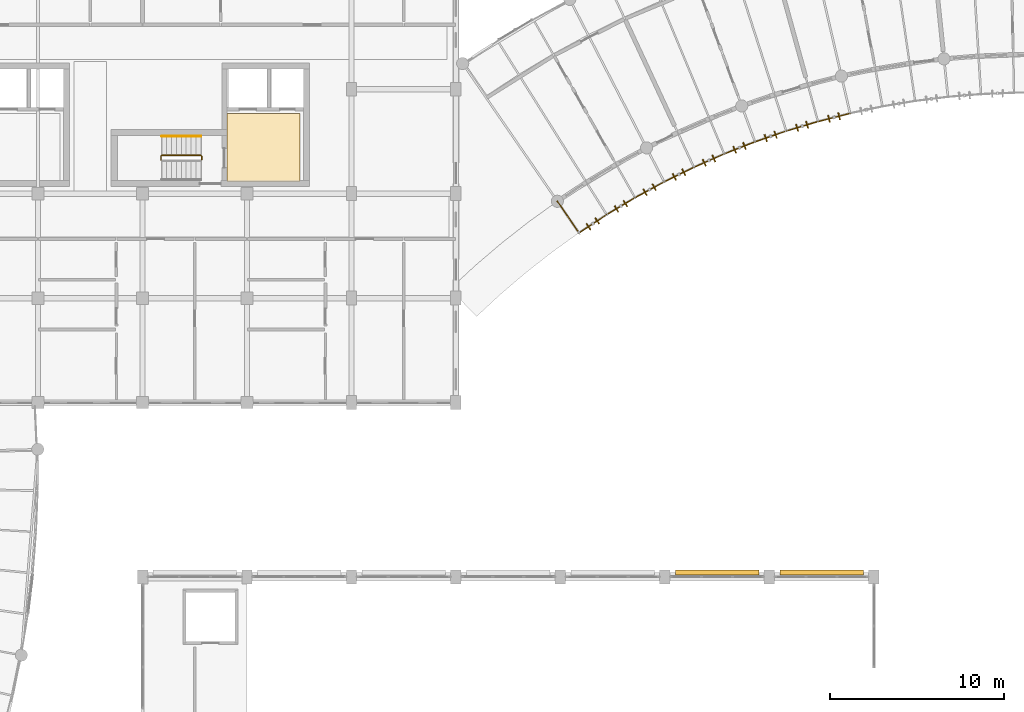
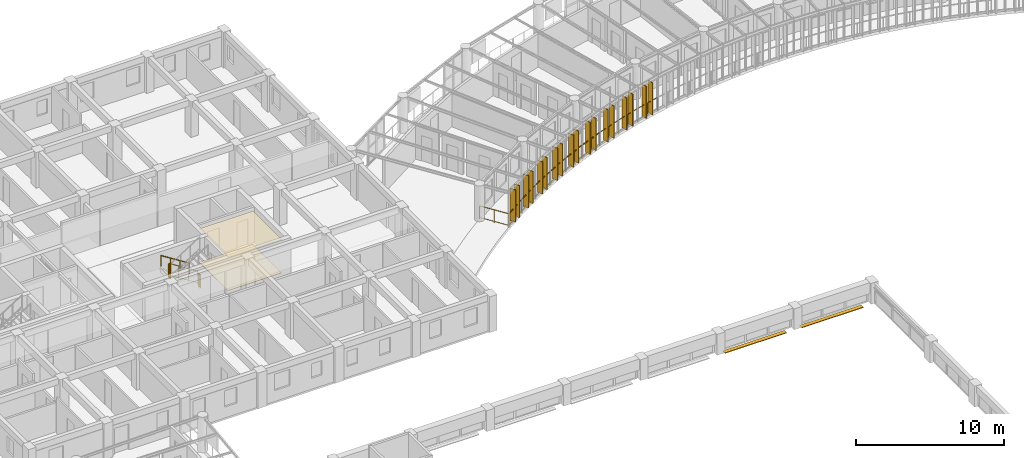
# One storey, part 131 of 137: 20 shading devices, 14 railings, 2 coverings.
"""IFC4 building model written with IfcOpenShell, lengths in metres."""

from ifc_helpers import new_model, si_unit, direction, frame, origin, origin_2d, place, context, subcontext, project, spatial, polyline, rectangle, circle, outline, extrude, material, layer, layer_set, type_object, element, save


model = new_model("IFC4")

# Units and contexts
model_context = context("Model", 3, precision=1e-05, world=origin(), true_north=direction((0.0, 1.0)))
body_context = subcontext(model_context, "Body", "Model", "MODEL_VIEW")
ifc_project = project(units=[si_unit("LENGTHUNIT", "METRE"), si_unit("AREAUNIT", "SQUARE_METRE"), si_unit("VOLUMEUNIT", "CUBIC_METRE"), si_unit("PLANEANGLEUNIT", "RADIAN"), si_unit("MASSUNIT", "GRAM", prefix="KILO"), si_unit("POWERUNIT", "WATT"), si_unit("THERMODYNAMICTEMPERATUREUNIT", "KELVIN")], contexts=[model_context])

# Site, building, storey
site_placement = place(None, origin())
site = spatial("IfcSite", under=ifc_project, at=site_placement, CompositionType="ELEMENT")
building_placement = place(site_placement, origin())
building = spatial("IfcBuilding", under=site, at=building_placement, Name="Ruvembo Vaulted Housing Court", CompositionType="ELEMENT")
storey_placement = place(building_placement, frame((0.0, 0.0, 4.5)))
storey = spatial("IfcBuildingStorey", under=building, at=storey_placement, Name="L01", CompositionType="ELEMENT", Elevation=4.5)

# Coverings
ifc_material_1 = material(Name="Perforated Mineral-Fibre Acoustic Tile", Category="gypsum")
ifc_layer_1 = layer(ifc_material_1, 0.02001953125, Name="Perforated Mineral-Fibre Acoustic Tile")
ifc_layer_set_1 = layer_set([ifc_layer_1], Name="Perforated Mineral-Fibre Acoustic Tile")
covering_type_1 = type_object("IfcCoveringType", Name="COV-CEIL-ACOUST", PredefinedType="CEILING", material=ifc_layer_set_1)
covering_1_placement = place(storey_placement, frame((0.0, 0.0, 2.75)))
element("IfcCovering", 1, at=covering_1_placement, inside=storey, type_object=covering_type_1, Name="Protected Core Lobby B2 Ceiling", PredefinedType="CEILING", context=body_context, shape_type="SweptSolid", body=[
    extrude(outline(polyline([(70.85009765625, 94.60009765625), (70.85009765625, 90.699951171875), (75.050048828125, 90.699951171875), (75.050048828125, 94.60009765625), (70.85009765625, 94.60009765625)])), origin(), (0.0, 0.0, 1.0), 0.02001953125),
])
ifc_material_2 = material(Name="Polished Cement-Aggregate Terrazzo", Category="stone")
ifc_layer_2 = layer(ifc_material_2, 0.02197265625, Name="Polished Cement-Aggregate Terrazzo")
ifc_layer_set_2 = layer_set([ifc_layer_2], Name="Polished Cement-Aggregate Terrazzo")
covering_type_2 = type_object("IfcCoveringType", Name="COV-FLR-CERAMIC", PredefinedType="FLOORING", material=ifc_layer_set_2)
covering_2_placement = place(storey_placement, origin())
element("IfcCovering", 2, at=covering_2_placement, inside=storey, type_object=covering_type_2, Name="Protected Core Lobby B2 Flooring", PredefinedType="FLOORING", context=body_context, shape_type="SweptSolid", body=[
    extrude(outline(polyline([(70.85009765625, 94.60009765625), (70.85009765625, 90.699951171875), (75.050048828125, 90.699951171875), (75.050048828125, 94.60009765625), (70.85009765625, 94.60009765625)])), origin(), (0.0, 0.0, 1.0), 0.02197265625),
])

# Railings
ifc_material_3 = material(Name="Galvanised Painted Steel S275", Category="steel")
ifc_layer_3 = layer(ifc_material_3, 0.06005859375, Name="Galvanised Painted Steel S275")
ifc_layer_set_3 = layer_set([ifc_layer_3], Name="Galvanised Painted Steel S275")
railing_type_1 = type_object("IfcRailingType", Name="RL-GUARD-1100", PredefinedType="GUARDRAIL", material=ifc_layer_set_3)
railing_1_placement = place(storey_placement, frame((89.82177734375, 89.564453125, 0.0)))
element("IfcRailing", 3, at=railing_1_placement, inside=storey, type_object=railing_type_1, Name="L01 Perimeter Guard RL-EXT-L01-0554", PredefinedType="GUARDRAIL", context=body_context, shape_type="SweptSolid", body=[
    extrude(circle(Radius=0.02392578125, at=origin_2d()), frame((0.0, 0.0, 1.076171875), z_axis=(0.566222630619, -0.82425234763, 0.0), x_axis=(0.82425234763, 0.566222630619, 0.0)), (0.0, 0.0, 1.0), 2.199951171875),
    extrude(circle(Radius=0.01806640625, at=origin_2d()), frame((0.0, 0.0, 0.1201171875), z_axis=(0.566222630619, -0.82425234763, 0.0), x_axis=(0.82425234763, 0.566222630619, 0.0)), (0.0, 0.0, 1.0), 2.199951171875),
    extrude(circle(Radius=0.02099609375, at=origin_2d()), origin(), (0.0, 0.0, 1.0), 1.052001953125),
    extrude(circle(Radius=0.02099609375, at=origin_2d()), frame((0.622802734375, -0.90673828125, 0.0)), (0.0, 0.0, 1.0), 1.052001953125),
    extrude(circle(Radius=0.02099609375, at=origin_2d()), frame((1.24560546875, -1.813232421875, 0.0)), (0.0, 0.0, 1.0), 1.052001953125),
])
railing_2_placement = place(storey_placement, frame((91.0673828125, 87.751220703125, 0.0)))
element("IfcRailing", 4, at=railing_2_placement, inside=storey, type_object=railing_type_1, Name="L01 Perimeter Guard RL-EXT-L01-0555", PredefinedType="GUARDRAIL", context=body_context, shape_type="SweptSolid", body=[
    extrude(circle(Radius=0.02392578125, at=origin_2d()), frame((0.0, 0.0, 1.076171875), z_axis=(0.835902452778, 0.548878027834, 0.0), x_axis=(-0.548878027834, 0.835902452778, 0.0)), (0.0, 0.0, 1.0), 1.901123046875),
    extrude(circle(Radius=0.01806640625, at=origin_2d()), frame((0.0, 0.0, 0.1201171875), z_axis=(0.835902452778, 0.548878027834, 0.0), x_axis=(-0.548878027834, 0.835902452778, 0.0)), (0.0, 0.0, 1.0), 1.901123046875),
    extrude(circle(Radius=0.02099609375, at=origin_2d()), origin(), (0.0, 0.0, 1.0), 1.052001953125),
    extrude(circle(Radius=0.02099609375, at=origin_2d()), frame((0.79443359375, 0.521728515625, 0.0)), (0.0, 0.0, 1.0), 1.052001953125),
    extrude(circle(Radius=0.02099609375, at=origin_2d()), frame((1.589111328125, 1.04345703125, 0.0)), (0.0, 0.0, 1.0), 1.052001953125),
])
railing_3_placement = place(storey_placement, frame((92.656494140625, 88.794677734375, 0.0)))
element("IfcRailing", 5, at=railing_3_placement, inside=storey, type_object=railing_type_1, Name="L01 Perimeter Guard RL-EXT-L01-0556", PredefinedType="GUARDRAIL", context=body_context, shape_type="SweptSolid", body=[
    extrude(circle(Radius=0.02392578125, at=origin_2d()), frame((0.0, 0.0, 1.076171875), z_axis=(0.857889282303, 0.513834583607, 0.0), x_axis=(-0.513834583607, 0.857889282303, 0.0)), (0.0, 0.0, 1.0), 1.901123046875),
    extrude(circle(Radius=0.01806640625, at=origin_2d()), frame((0.0, 0.0, 0.1201171875), z_axis=(0.857889282303, 0.513834583607, 0.0), x_axis=(-0.513834583607, 0.857889282303, 0.0)), (0.0, 0.0, 1.0), 1.901123046875),
    extrude(circle(Radius=0.02099609375, at=origin_2d()), origin(), (0.0, 0.0, 1.0), 1.052001953125),
    extrude(circle(Radius=0.02099609375, at=origin_2d()), frame((0.8154296875, 0.48828125, 0.0)), (0.0, 0.0, 1.0), 1.052001953125),
    extrude(circle(Radius=0.02099609375, at=origin_2d()), frame((1.630859375, 0.976806640625, 0.0)), (0.0, 0.0, 1.0), 1.052001953125),
])
railing_4_placement = place(storey_placement, frame((94.287353515625, 89.771484375, 0.0)))
element("IfcRailing", 6, at=railing_4_placement, inside=storey, type_object=railing_type_1, Name="L01 Perimeter Guard RL-EXT-L01-0557", PredefinedType="GUARDRAIL", context=body_context, shape_type="SweptSolid", body=[
    extrude(circle(Radius=0.02392578125, at=origin_2d()), frame((0.0, 0.0, 1.076171875), z_axis=(0.878513214386, 0.477718046706, 0.0), x_axis=(-0.477718046706, 0.878513214386, 0.0)), (0.0, 0.0, 1.0), 1.901123046875),
    extrude(circle(Radius=0.01806640625, at=origin_2d()), frame((0.0, 0.0, 0.1201171875), z_axis=(0.878513214386, 0.477718046706, 0.0), x_axis=(-0.477718046706, 0.878513214386, 0.0)), (0.0, 0.0, 1.0), 1.901123046875),
    extrude(circle(Radius=0.02099609375, at=origin_2d()), origin(), (0.0, 0.0, 1.0), 1.052001953125),
    extrude(circle(Radius=0.02099609375, at=origin_2d()), frame((0.8349609375, 0.4541015625, 0.0)), (0.0, 0.0, 1.0), 1.052001953125),
    extrude(circle(Radius=0.02099609375, at=origin_2d()), frame((1.670166015625, 0.908203125, 0.0)), (0.0, 0.0, 1.0), 1.052001953125),
])
railing_5_placement = place(storey_placement, frame((95.95751953125, 90.6796875, 0.0)))
element("IfcRailing", 7, at=railing_5_placement, inside=storey, type_object=railing_type_1, Name="L01 Perimeter Guard RL-EXT-L01-0558", PredefinedType="GUARDRAIL", context=body_context, shape_type="SweptSolid", body=[
    extrude(circle(Radius=0.02392578125, at=origin_2d()), frame((0.0, 0.0, 1.076171875), z_axis=(0.897513310314, 0.44098736695, 0.0), x_axis=(-0.44098736695, 0.897513310314, 0.0)), (0.0, 0.0, 1.0), 1.901123046875),
    extrude(circle(Radius=0.01806640625, at=origin_2d()), frame((0.0, 0.0, 0.1201171875), z_axis=(0.897513310314, 0.44098736695, 0.0), x_axis=(-0.44098736695, 0.897513310314, 0.0)), (0.0, 0.0, 1.0), 1.901123046875),
    extrude(circle(Radius=0.02099609375, at=origin_2d()), origin(), (0.0, 0.0, 1.0), 1.052001953125),
    extrude(circle(Radius=0.02099609375, at=origin_2d()), frame((0.85302734375, 0.419189453125, 0.0)), (0.0, 0.0, 1.0), 1.052001953125),
    extrude(circle(Radius=0.02099609375, at=origin_2d()), frame((1.706298828125, 0.83837890625, 0.0)), (0.0, 0.0, 1.0), 1.052001953125),
])
railing_6_placement = place(storey_placement, frame((97.663818359375, 91.51806640625, 0.0)))
element("IfcRailing", 8, at=railing_6_placement, inside=storey, type_object=railing_type_1, Name="L01 Perimeter Guard RL-EXT-L01-0559", PredefinedType="GUARDRAIL", context=body_context, shape_type="SweptSolid", body=[
    extrude(circle(Radius=0.02392578125, at=origin_2d()), frame((0.0, 0.0, 1.076171875), z_axis=(0.91507815309, 0.403276547467, 0.0), x_axis=(-0.403276547467, 0.91507815309, 0.0)), (0.0, 0.0, 1.0), 1.90087890625),
    extrude(circle(Radius=0.01806640625, at=origin_2d()), frame((0.0, 0.0, 0.1201171875), z_axis=(0.91507815309, 0.403276547467, 0.0), x_axis=(-0.403276547467, 0.91507815309, 0.0)), (0.0, 0.0, 1.0), 1.90087890625),
    extrude(circle(Radius=0.02099609375, at=origin_2d()), origin(), (0.0, 0.0, 1.0), 1.052001953125),
    extrude(circle(Radius=0.02099609375, at=origin_2d()), frame((0.86962890625, 0.38330078125, 0.0)), (0.0, 0.0, 1.0), 1.052001953125),
    extrude(circle(Radius=0.02099609375, at=origin_2d()), frame((1.739501953125, 0.7666015625, 0.0)), (0.0, 0.0, 1.0), 1.052001953125),
])
railing_7_placement = place(storey_placement, frame((99.4033203125, 92.28466796875, 0.0)))
element("IfcRailing", 9, at=railing_7_placement, inside=storey, type_object=railing_type_1, Name="L01 Perimeter Guard RL-EXT-L01-0560", PredefinedType="GUARDRAIL", context=body_context, shape_type="SweptSolid", body=[
    extrude(circle(Radius=0.02392578125, at=origin_2d()), frame((0.0, 0.0, 1.076171875), z_axis=(0.931005720133, 0.365004587752, 0.0), x_axis=(-0.365004587752, 0.931005720133, 0.0)), (0.0, 0.0, 1.0), 1.90087890625),
    extrude(circle(Radius=0.01806640625, at=origin_2d()), frame((0.0, 0.0, 0.1201171875), z_axis=(0.931005720133, 0.365004587752, 0.0), x_axis=(-0.365004587752, 0.931005720133, 0.0)), (0.0, 0.0, 1.0), 1.90087890625),
    extrude(circle(Radius=0.02099609375, at=origin_2d()), origin(), (0.0, 0.0, 1.0), 1.052001953125),
    extrude(circle(Radius=0.02099609375, at=origin_2d()), frame((0.884765625, 0.346923828125, 0.0)), (0.0, 0.0, 1.0), 1.052001953125),
    extrude(circle(Radius=0.02099609375, at=origin_2d()), frame((1.769775390625, 0.69384765625, 0.0)), (0.0, 0.0, 1.0), 1.052001953125),
])
railing_8_placement = place(storey_placement, frame((101.173095703125, 92.978515625, 0.0)))
element("IfcRailing", 10, at=railing_8_placement, inside=storey, type_object=railing_type_1, Name="L01 Perimeter Guard RL-EXT-L01-0561", PredefinedType="GUARDRAIL", context=body_context, shape_type="SweptSolid", body=[
    extrude(circle(Radius=0.02392578125, at=origin_2d()), frame((0.0, 0.0, 1.076171875), z_axis=(0.945357969834, 0.326034214264, 0.0), x_axis=(-0.326034214264, 0.945357969834, 0.0)), (0.0, 0.0, 1.0), 1.9013671875),
    extrude(circle(Radius=0.01806640625, at=origin_2d()), frame((0.0, 0.0, 0.1201171875), z_axis=(0.945357969834, 0.326034214264, 0.0), x_axis=(-0.326034214264, 0.945357969834, 0.0)), (0.0, 0.0, 1.0), 1.9013671875),
    extrude(circle(Radius=0.02099609375, at=origin_2d()), origin(), (0.0, 0.0, 1.0), 1.052001953125),
    extrude(circle(Radius=0.02099609375, at=origin_2d()), frame((0.898681640625, 0.31005859375, 0.0)), (0.0, 0.0, 1.0), 1.052001953125),
    extrude(circle(Radius=0.02099609375, at=origin_2d()), frame((1.79736328125, 0.619873046875, 0.0)), (0.0, 0.0, 1.0), 1.052001953125),
])
railing_9_placement = place(storey_placement, frame((102.970458984375, 93.598388671875, 0.0)))
element("IfcRailing", 11, at=railing_9_placement, inside=storey, type_object=railing_type_1, Name="L01 Perimeter Guard RL-EXT-L01-0562", PredefinedType="GUARDRAIL", context=body_context, shape_type="SweptSolid", body=[
    extrude(circle(Radius=0.02392578125, at=origin_2d()), frame((0.0, 0.0, 1.076171875), z_axis=(0.958108609181, 0.286405120439, 0.0), x_axis=(-0.286405120439, 0.958108609181, 0.0)), (0.0, 0.0, 1.0), 1.90087890625),
    extrude(circle(Radius=0.01806640625, at=origin_2d()), frame((0.0, 0.0, 0.1201171875), z_axis=(0.958108609181, 0.286405120439, 0.0), x_axis=(-0.286405120439, 0.958108609181, 0.0)), (0.0, 0.0, 1.0), 1.90087890625),
    extrude(circle(Radius=0.02099609375, at=origin_2d()), origin(), (0.0, 0.0, 1.0), 1.052001953125),
    extrude(circle(Radius=0.02099609375, at=origin_2d()), frame((0.91064453125, 0.272216796875, 0.0)), (0.0, 0.0, 1.0), 1.052001953125),
    extrude(circle(Radius=0.02099609375, at=origin_2d()), frame((1.8212890625, 0.54443359375, 0.0)), (0.0, 0.0, 1.0), 1.052001953125),
])
railing_10_placement = place(storey_placement, frame((104.791748046875, 94.142822265625, 0.0)))
element("IfcRailing", 12, at=railing_10_placement, inside=storey, type_object=railing_type_1, Name="L01 Perimeter Guard RL-EXT-L01-0563", PredefinedType="GUARDRAIL", context=body_context, shape_type="SweptSolid", body=[
    extrude(circle(Radius=0.02392578125, at=origin_2d()), frame((0.0, 0.0, 1.076171875), z_axis=(0.969121730429, 0.246582788553, 0.0), x_axis=(-0.246582788553, 0.969121730429, 0.0)), (0.0, 0.0, 1.0), 1.90087890625),
    extrude(circle(Radius=0.01806640625, at=origin_2d()), frame((0.0, 0.0, 0.1201171875), z_axis=(0.969121730429, 0.246582788553, 0.0), x_axis=(-0.246582788553, 0.969121730429, 0.0)), (0.0, 0.0, 1.0), 1.90087890625),
    extrude(circle(Radius=0.02099609375, at=origin_2d()), origin(), (0.0, 0.0, 1.0), 1.052001953125),
    extrude(circle(Radius=0.02099609375, at=origin_2d()), frame((0.921142578125, 0.234375, 0.0)), (0.0, 0.0, 1.0), 1.052001953125),
    extrude(circle(Radius=0.02099609375, at=origin_2d()), frame((1.84228515625, 0.46875, 0.0)), (0.0, 0.0, 1.0), 1.052001953125),
])
ifc_material_4 = material(Name="Painted Galvanised Steel S275", Category="steel")
ifc_layer_4 = layer(ifc_material_4, 0.06005859375, Name="Painted Galvanised Steel S275")
ifc_layer_set_4 = layer_set([ifc_layer_4], Name="Painted Galvanised Steel S275")
railing_type_2 = type_object("IfcRailingType", Name="RL-STAIR-GR1100", PredefinedType="GUARDRAIL", material=ifc_layer_set_4)
railing_11_placement = place(storey_placement, frame((69.35009765625, 92.199951171875, 0.177734375)))
element("IfcRailing", 13, at=railing_11_placement, inside=storey, type_object=railing_type_2, Name="L01 ST-B2 stair guard 1", PredefinedType="GUARDRAIL", context=body_context, shape_type="SweptSolid", body=[
    extrude(circle(Radius=0.02392578125, at=origin_2d()), frame((0.0, 0.0, 1.076171875), z_axis=(-0.84418770128, 0.0, 0.536047689118), x_axis=(0.0, -1.0, 0.0)), (0.0, 0.0, 1.0), 2.6533203125),
    extrude(circle(Radius=0.01806640625, at=origin_2d()), frame((0.0, 0.0, 0.1201171875), z_axis=(-0.84418770128, 0.0, 0.536047689118), x_axis=(0.0, -1.0, 0.0)), (0.0, 0.0, 1.0), 2.6533203125),
    extrude(circle(Radius=0.02099609375, at=origin_2d()), origin(), (0.0, 0.0, 1.0), 1.052001953125),
    extrude(circle(Radius=0.02099609375, at=origin_2d()), frame((-0.74658203125, 0.0, 0.47412109375)), (0.0, 0.0, 1.0), 1.052001953125),
    extrude(circle(Radius=0.02099609375, at=origin_2d()), frame((-1.493408203125, 0.0, 0.9482421875)), (0.0, 0.0, 1.0), 1.052001953125),
    extrude(circle(Radius=0.02099609375, at=origin_2d()), frame((-2.239990234375, 0.0, 1.42236328125)), (0.0, 0.0, 1.0), 1.052001953125),
])
for number, where, name in (
    (14, (67.06005859375, 92.14990234375, 1.60009765625), "L01 ST-B2 stair guard 2"),
    (15, (69.39990234375, 92.14990234375, 0.0), "L01 ST-B2 stair guard 4"),
):
    element("IfcRailing", number, at=place(storey_placement, frame(where)), inside=storey, type_object=railing_type_2, Name=name, PredefinedType="GUARDRAIL", context=body_context, shape_type="SweptSolid", body=[
        extrude(circle(Radius=0.02392578125, at=origin_2d()), frame((0.0, 0.0, 1.076171875), z_axis=(0.0, -1.0, 0.0), x_axis=(1.0, 0.0, 0.0)), (0.0, 0.0, 1.0), 0.199951171875),
        extrude(circle(Radius=0.01806640625, at=origin_2d()), frame((0.0, 0.0, 0.1201171875), z_axis=(0.0, -1.0, 0.0), x_axis=(1.0, 0.0, 0.0)), (0.0, 0.0, 1.0), 0.199951171875),
        extrude(circle(Radius=0.02099609375, at=origin_2d()), origin(), (0.0, 0.0, 1.0), 1.052001953125),
        extrude(circle(Radius=0.02099609375, at=origin_2d()), frame((0.0, -0.199951171875, 0.0)), (0.0, 0.0, 1.0), 1.052001953125),
    ])
ifc_material_5 = material(Name="Brushed Stainless Steel 304", Category="steel")
ifc_layer_5 = layer(ifc_material_5, 0.050048828125, Name="Brushed Stainless Steel 304")
ifc_layer_set_5 = layer_set([ifc_layer_5], Name="Brushed Stainless Steel 304")
railing_type_3 = type_object("IfcRailingType", Name="RL-STAIR-HR920", PredefinedType="HANDRAIL", material=ifc_layer_set_5)
railing_12_placement = place(storey_placement, frame((69.35009765625, 93.300048828125, 0.359375)))
element("IfcRailing", 16, at=railing_12_placement, inside=storey, type_object=railing_type_3, Name="L01 ST-B2 stair handrail 1", PredefinedType="HANDRAIL", context=body_context, shape_type="SweptSolid", body=[
    extrude(circle(Radius=0.02392578125, at=origin_2d()), frame((0.0, 0.0, 0.8759765625), z_axis=(-0.8442293374, 0.0, 0.53598211339), x_axis=(0.0, -1.0, 0.0)), (0.0, 0.0, 1.0), 2.6533203125),
    extrude(circle(Radius=0.02099609375, at=origin_2d()), origin(), (0.0, 0.0, 1.0), 0.851806640625),
    extrude(circle(Radius=0.02099609375, at=origin_2d()), frame((-0.74658203125, 0.0, 0.47412109375)), (0.0, 0.0, 1.0), 0.851806640625),
    extrude(circle(Radius=0.02099609375, at=origin_2d()), frame((-1.493408203125, 0.0, 0.947998046875)), (0.0, 0.0, 1.0), 0.851806640625),
    extrude(circle(Radius=0.02099609375, at=origin_2d()), frame((-2.239990234375, 0.0, 1.422119140625)), (0.0, 0.0, 1.0), 0.851806640625),
])

# Shading devices
ifc_material_6 = material(Name="Kiln-Fired Terracotta Extrusion", Category="masonry")
shading_device_type_1 = type_object("IfcShadingDeviceType", Name="SHD-FIN-420", PredefinedType="USERDEFINED", material=ifc_material_6)
for number, where, z_axis, x_axis, name in (
    (17, (91.611083984375, 88.108154296875, 0.0498046875), (0.0, 0.0, 1.0), (0.548964466299, -0.835845688355, 0.0), "Terracotta Brise-Soleil Fin #471"),
    (18, (92.11279296875, 88.4375, 0.0498046875), (0.0, 0.0, 1.0), (0.548964466299, -0.835845688355, 0.0), "Terracotta Brise-Soleil Fin #472"),
    (19, (93.214599609375, 89.12890625, 0.0498046875), (0.0, 0.0, 1.0), (0.513825768915, -0.857894561819, 0.0), "Terracotta Brise-Soleil Fin #473"),
    (20, (93.729248046875, 89.437255859375, 0.0498046875), (0.0, 0.0, 1.0), (0.513825768915, -0.857894561819, 0.0), "Terracotta Brise-Soleil Fin #474"),
    (21, (94.85888671875, 90.082275390625, 0.0498046875), (0.0, 0.0, 1.0), (0.477787506376, -0.878475440038, 0.0), "Terracotta Brise-Soleil Fin #475"),
    (22, (95.385986328125, 90.368896484375, 0.0498046875), (0.0, 0.0, 1.0), (0.477787506376, -0.878475440038, 0.0), "Terracotta Brise-Soleil Fin #476"),
    (23, (96.541259765625, 90.966552734375, 0.0498046875), (0.0, 0.0, 1.0), (0.440910671447, -0.897550990086, 0.0), "Terracotta Brise-Soleil Fin #477"),
    (24, (97.079833984375, 91.231201171875, 0.0498046875), (0.0, 0.0, 1.0), (0.440910671447, -0.897550990086, 0.0), "Terracotta Brise-Soleil Fin #478"),
    (25, (98.259033203125, 91.780517578125, 0.0498046875), (0.0, 0.0, 1.0), (0.403305746645, -0.915065284405, 0.0), "Terracotta Brise-Soleil Fin #479"),
    (26, (98.80810546875, 92.022216796875, 0.0498046875), (0.0, 0.0, 1.0), (0.403305746645, -0.915065284405, 0.0), "Terracotta Brise-Soleil Fin #480"),
    (27, (100.0087890625, 92.522216796875, 0.0498046875), (0.0, 0.0, 1.0), (0.364958032896, -0.931023970811, 0.0), "Terracotta Brise-Soleil Fin #481"),
    (28, (100.567626953125, 92.7412109375, 0.0498046875), (0.0, 0.0, 1.0), (0.364958032896, -0.931023970811, 0.0), "Terracotta Brise-Soleil Fin #482"),
    (29, (101.7880859375, 93.190673828125, 0.0498046875), (0.0, 0.0, 1.0), (0.326030183107, -0.945359360087, 0.0), "Terracotta Brise-Soleil Fin #483"),
    (30, (102.35546875, 93.38623046875, 0.0498046875), (0.0, 0.0, 1.0), (0.326030183107, -0.945359360087, 0.0), "Terracotta Brise-Soleil Fin #484"),
    (31, (103.593505859375, 93.78466796875, 0.0498046875), (0.0, 0.0, 1.0), (0.2864911095, -0.958082900472, 0.0), "Terracotta Brise-Soleil Fin #485"),
    (32, (104.16845703125, 93.95654296875, 0.0498046875), (0.0, 0.0, 1.0), (0.2864911095, -0.958082900472, 0.0), "Terracotta Brise-Soleil Fin #486"),
    (33, (105.422119140625, 94.30322265625, 0.0498046875), (0.0, 0.0, 1.0), (0.246491603437, -0.969144926951, 0.0), "Terracotta Brise-Soleil Fin #487"),
    (34, (106.003662109375, 94.451171875, 0.0498046875), (0.0, 0.0, 1.0), (0.246491603437, -0.969144926951, 0.0), "Terracotta Brise-Soleil Fin #488"),
):
    element("IfcShadingDevice", number, at=place(storey_placement, frame(where, z_axis=z_axis, x_axis=x_axis)), inside=storey, type_object=shading_device_type_1, Name=name, ObjectType="FIN", PredefinedType="USERDEFINED", context=body_context, shape_type="SweptSolid", body=[
        extrude(rectangle(XDim=0.419921875, YDim=0.06494140625, at=origin_2d()), origin(), (0.0, 0.0, 1.0), 2.653076171875),
    ])
ifc_material_7 = material(Name="Anodised Aluminium 6063-T6", Category="aluminium")
shading_device_type_2 = type_object("IfcShadingDeviceType", Name="SHD-LOUVRE-300", PredefinedType="JALOUSIE", material=ifc_material_7)
for number, where, z_axis, x_axis, name in (
    (35, (99.0, 68.25, -0.4775390625), (0.0, 0.0, 1.0), (1.0, 0.0, 0.0), "Hall Solar Louvre N6"),
    (36, (105.0, 68.25, -0.4775390625), (0.0, 0.0, 1.0), (1.0, 0.0, 0.0), "Hall Solar Louvre N7"),
):
    element("IfcShadingDevice", number, at=place(storey_placement, frame(where, z_axis=z_axis, x_axis=x_axis)), inside=storey, type_object=shading_device_type_2, Name=name, PredefinedType="JALOUSIE", context=body_context, shape_type="SweptSolid", body=[
        extrude(rectangle(XDim=4.800048828125, YDim=0.300048828125, at=origin_2d()), origin(), (0.0, 0.0, 1.0), 0.054931640625),
    ])

save(model, "model.ifc")
